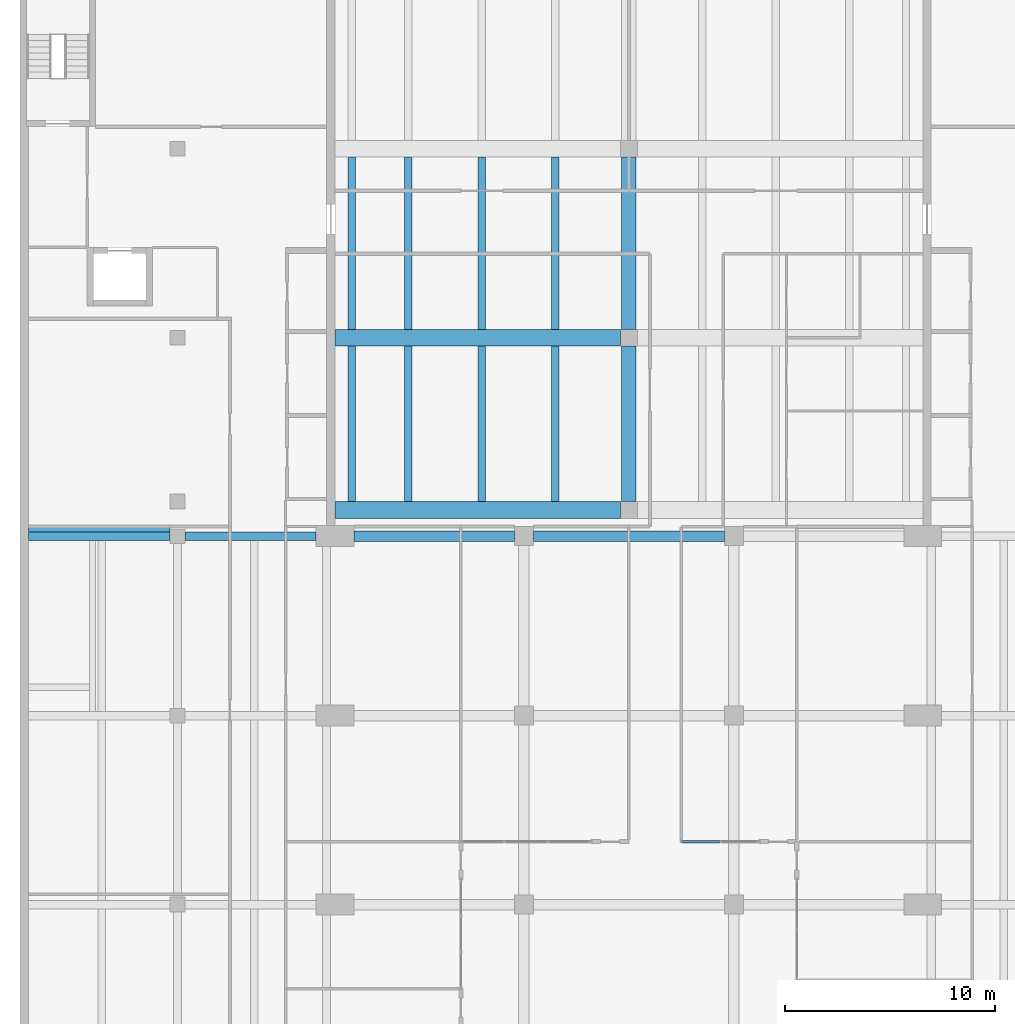
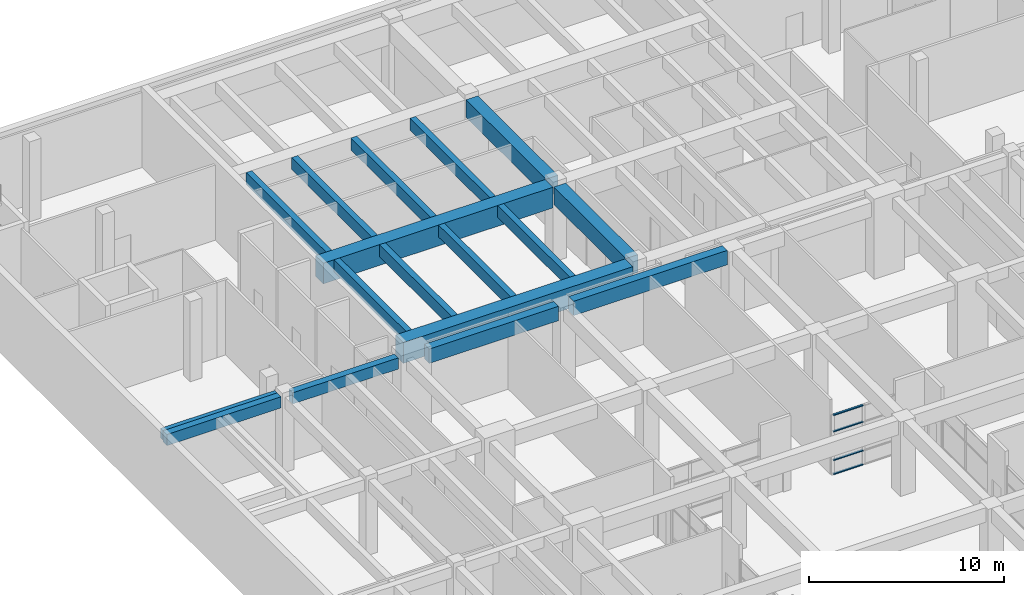
# One storey, part 12 of 29: 17 beams, 4 members, 1 element without a shape of its own.
"""IFC4 building model written with IfcOpenShell, lengths in metres."""

from ifc_helpers import new_model, si_unit, direction, frame, origin, origin_2d, place, context, subcontext, project, spatial, rectangle, extrude, material, material_profile, profile_set, type_object, element, aggregate, save


model = new_model("IFC4")

# Units and contexts
model_context = context("Model", 3, precision=1e-05, world=origin(), true_north=direction((0.0, 1.0)))
body_context = subcontext(model_context, "Body", "Model", "MODEL_VIEW")
ifc_project = project(units=[si_unit("LENGTHUNIT", "METRE"), si_unit("AREAUNIT", "SQUARE_METRE"), si_unit("VOLUMEUNIT", "CUBIC_METRE"), si_unit("PLANEANGLEUNIT", "RADIAN"), si_unit("MASSUNIT", "GRAM", prefix="KILO")], contexts=[model_context])

# Site, building, storey
site_placement = place(None, origin())
site = spatial("IfcSite", under=ifc_project, at=site_placement, CompositionType="ELEMENT")
building_placement = place(site_placement, origin())
building = spatial("IfcBuilding", under=site, at=building_placement, Name="Elmora Arch Market Hall", CompositionType="ELEMENT")
storey_placement = place(building_placement, frame((0.0, 0.0, -5.0)))
storey = spatial("IfcBuildingStorey", under=building, at=storey_placement, Name="LG", CompositionType="ELEMENT", Elevation=-5.0)

# Beams
ifc_material_1 = material(Name="Concrete C32/40", Category="concrete")
ifc_material_profile_1 = material_profile(ifc_material_1, rectangle(XDim=0.5, YDim=0.89990234375, at=origin_2d()), Name="Basement girder 500x900")
ifc_profile_set_1 = profile_set([ifc_material_profile_1], Name="Concrete C32/40")
beam_type_1 = type_object("IfcBeamType", Name="Basement girder 500x900", PredefinedType="BEAM", material=ifc_profile_set_1)
beam_1_placement = place(storey_placement, frame((15.89990234375, 98.550048828125, 4.199951171875), z_axis=(1.0, 0.0, 0.0), x_axis=(0.0, 1.0, 0.0)))
element("IfcBeam", 1, at=beam_1_placement, inside=storey, type_object=beam_type_1, Name="Basement girder HR9 LG.1", PredefinedType="BEAM", context=body_context, shape_type="SweptSolid", body=[
    extrude(rectangle(XDim=0.5, YDim=0.89990234375, at=origin_2d()), origin(), (0.0, 0.0, 1.0), 7.650146484375),
])
beam_2_placement = place(storey_placement, frame((24.449951171875, 98.550048828125, 4.199951171875), z_axis=(1.0, 0.0, 0.0), x_axis=(0.0, 1.0, 0.0)))
element("IfcBeam", 2, at=beam_2_placement, inside=storey, type_object=beam_type_1, Name="Basement girder HR9 LG.2", PredefinedType="BEAM", context=body_context, shape_type="SweptSolid", body=[
    extrude(rectangle(XDim=0.5, YDim=0.89990234375, at=origin_2d()), origin(), (0.0, 0.0, 1.0), 9.10009765625),
])
ifc_material_2 = material(Name="Concrete C32/40", Category="concrete")
ifc_material_profile_2 = material_profile(ifc_material_2, rectangle(XDim=0.800048828125, YDim=1.300048828125, at=origin_2d()), Name="Bridge girder 800x1300")
ifc_profile_set_2 = profile_set([ifc_material_profile_2], Name="Concrete C32/40")
beam_type_2 = type_object("IfcBeamType", Name="Bridge girder 800x1300", PredefinedType="BEAM", material=ifc_profile_set_2)
for number, where, z_axis, x_axis, name in (
    (3, (15.0, 99.800048828125, 4.050048828125), (1.0, 0.0, 0.0), (0.0, 1.0, 0.0), "Bridge girder NR1 LG.1"),
    (4, (15.0, 108.0, 4.050048828125), (1.0, 0.0, 0.0), (0.0, 1.0, 0.0), "Bridge girder NR2 LG.1"),
):
    element("IfcBeam", number, at=place(storey_placement, frame(where, z_axis=z_axis, x_axis=x_axis)), inside=storey, type_object=beam_type_2, Name=name, PredefinedType="BEAM", context=body_context, shape_type="SweptSolid", body=[
        extrude(rectangle(XDim=0.800048828125, YDim=1.300048828125, at=origin_2d()), origin(), (0.0, 0.0, 1.0), 13.60009765625),
    ])
ifc_material_3 = material(Name="Concrete C32/40", Category="concrete")
ifc_material_profile_3 = material_profile(ifc_material_3, rectangle(XDim=0.35009765625, YDim=0.75, at=origin_2d()), Name="Bridge joist 350x750")
ifc_profile_set_3 = profile_set([ifc_material_profile_3], Name="Concrete C32/40")
beam_type_3 = type_object("IfcBeamType", Name="Bridge joist 350x750", PredefinedType="JOIST", material=ifc_profile_set_3)
beam_3_placement = place(storey_placement, frame((15.800048828125, 100.199951171875, 4.324951171875), z_axis=(0.0, 1.0, 0.0), x_axis=(-1.0, 0.0, 0.0)))
element("IfcBeam", 5, at=beam_3_placement, inside=storey, type_object=beam_type_3, Name="Bridge joist NJ1 LG.1", PredefinedType="JOIST", context=body_context, shape_type="SweptSolid", body=[
    extrude(rectangle(XDim=0.35009765625, YDim=0.75, at=origin_2d()), origin(), (0.0, 0.0, 1.0), 7.400146484375),
])
beam_4_placement = place(storey_placement, frame((15.800048828125, 108.39990234375, 4.324951171875), z_axis=(0.0, 1.0, 0.0), x_axis=(-1.0, 0.0, 0.0)))
element("IfcBeam", 6, at=beam_4_placement, inside=storey, type_object=beam_type_3, Name="Bridge joist NJ1 LG.2", PredefinedType="JOIST", context=body_context, shape_type="SweptSolid", body=[
    extrude(rectangle(XDim=0.35009765625, YDim=0.75, at=origin_2d()), origin(), (0.0, 0.0, 1.0), 8.2001953125),
])
beam_5_placement = place(storey_placement, frame((18.5, 100.199951171875, 4.324951171875), z_axis=(0.0, 1.0, 0.0), x_axis=(-1.0, 0.0, 0.0)))
element("IfcBeam", 7, at=beam_5_placement, inside=storey, type_object=beam_type_3, Name="Bridge joist NJ2 LG.1", PredefinedType="JOIST", context=body_context, shape_type="SweptSolid", body=[
    extrude(rectangle(XDim=0.35009765625, YDim=0.75, at=origin_2d()), origin(), (0.0, 0.0, 1.0), 7.400146484375),
])
beam_6_placement = place(storey_placement, frame((18.5, 108.39990234375, 4.324951171875), z_axis=(0.0, 1.0, 0.0), x_axis=(-1.0, 0.0, 0.0)))
element("IfcBeam", 8, at=beam_6_placement, inside=storey, type_object=beam_type_3, Name="Bridge joist NJ2 LG.2", PredefinedType="JOIST", context=body_context, shape_type="SweptSolid", body=[
    extrude(rectangle(XDim=0.35009765625, YDim=0.75, at=origin_2d()), origin(), (0.0, 0.0, 1.0), 8.2001953125),
])
beam_7_placement = place(storey_placement, frame((22.0, 100.199951171875, 4.324951171875), z_axis=(0.0, 1.0, 0.0), x_axis=(-1.0, 0.0, 0.0)))
element("IfcBeam", 9, at=beam_7_placement, inside=storey, type_object=beam_type_3, Name="Bridge joist NJ3 LG.1", PredefinedType="JOIST", context=body_context, shape_type="SweptSolid", body=[
    extrude(rectangle(XDim=0.35009765625, YDim=0.75, at=origin_2d()), origin(), (0.0, 0.0, 1.0), 7.400146484375),
])
beam_8_placement = place(storey_placement, frame((22.0, 108.39990234375, 4.324951171875), z_axis=(0.0, 1.0, 0.0), x_axis=(-1.0, 0.0, 0.0)))
element("IfcBeam", 10, at=beam_8_placement, inside=storey, type_object=beam_type_3, Name="Bridge joist NJ3 LG.2", PredefinedType="JOIST", context=body_context, shape_type="SweptSolid", body=[
    extrude(rectangle(XDim=0.35009765625, YDim=0.75, at=origin_2d()), origin(), (0.0, 0.0, 1.0), 8.2001953125),
])
beam_9_placement = place(storey_placement, frame((25.5, 100.199951171875, 4.324951171875), z_axis=(0.0, 1.0, 0.0), x_axis=(-1.0, 0.0, 0.0)))
element("IfcBeam", 11, at=beam_9_placement, inside=storey, type_object=beam_type_3, Name="Bridge joist NJ4 LG.1", PredefinedType="JOIST", context=body_context, shape_type="SweptSolid", body=[
    extrude(rectangle(XDim=0.35009765625, YDim=0.75, at=origin_2d()), origin(), (0.0, 0.0, 1.0), 7.400146484375),
])
beam_10_placement = place(storey_placement, frame((25.5, 108.39990234375, 4.324951171875), z_axis=(0.0, 1.0, 0.0), x_axis=(-1.0, 0.0, 0.0)))
element("IfcBeam", 12, at=beam_10_placement, inside=storey, type_object=beam_type_3, Name="Bridge joist NJ4 LG.2", PredefinedType="JOIST", context=body_context, shape_type="SweptSolid", body=[
    extrude(rectangle(XDim=0.35009765625, YDim=0.75, at=origin_2d()), origin(), (0.0, 0.0, 1.0), 8.2001953125),
])
ifc_material_4 = material(Name="Concrete C32/40", Category="concrete")
ifc_material_profile_4 = material_profile(ifc_material_4, rectangle(XDim=0.699951171875, YDim=1.10009765625, at=origin_2d()), Name="Spine girder 700x1100")
ifc_profile_set_4 = profile_set([ifc_material_profile_4], Name="Concrete C32/40")
beam_type_4 = type_object("IfcBeamType", Name="Spine girder 700x1100", PredefinedType="BEAM", material=ifc_profile_set_4)
beam_11_placement = place(storey_placement, frame((29.0, 100.199951171875, 4.14990234375), z_axis=(0.0, 1.0, 0.0), x_axis=(-1.0, 0.0, 0.0)))
element("IfcBeam", 13, at=beam_11_placement, inside=storey, type_object=beam_type_4, Name="Spine girder NSP LG.1", PredefinedType="BEAM", context=body_context, shape_type="SweptSolid", body=[
    extrude(rectangle(XDim=0.699951171875, YDim=1.10009765625, at=origin_2d()), origin(), (0.0, 0.0, 1.0), 7.400146484375),
])
beam_12_placement = place(storey_placement, frame((29.0, 108.39990234375, 4.14990234375), z_axis=(0.0, 1.0, 0.0), x_axis=(-1.0, 0.0, 0.0)))
element("IfcBeam", 14, at=beam_12_placement, inside=storey, type_object=beam_type_4, Name="Spine girder NSP LG.2", PredefinedType="BEAM", context=body_context, shape_type="SweptSolid", body=[
    extrude(rectangle(XDim=0.699951171875, YDim=1.10009765625, at=origin_2d()), origin(), (0.0, 0.0, 1.0), 8.2001953125),
])

# Curtain wall, members
ifc_material_5 = material(Name="Aluminium", Category="aluminium")
curtain_wall_type = type_object("IfcCurtainWallType", Name="Lower ground shopfront curtain wall", PredefinedType="NOTDEFINED", material=ifc_material_5)
curtain_wall_placement = place(storey_placement, origin())
curtain_wall = element("IfcCurtainWall", 15, at=curtain_wall_placement, inside=storey, type_object=curtain_wall_type, Name="Lower ground shopfront N2", PredefinedType="NOTDEFINED")
ifc_material_6 = material(Name="Aluminium", Category="aluminium")
ifc_material_profile_5 = material_profile(ifc_material_6, rectangle(XDim=0.1201171875, YDim=0.06005859375, at=origin_2d()), Name="AL 120x60")
ifc_profile_set_5 = profile_set([ifc_material_profile_5], Name="Aluminium")
member_type = type_object("IfcMemberType", Name="Transom 120x60", PredefinedType="USERDEFINED", material=ifc_profile_set_5)
member_1_placement = place(storey_placement, frame((31.56005859375, 84.0, 0.030029296875), z_axis=(1.0, 0.0, 0.0), x_axis=(0.0, 1.0, 0.0)))
member_1 = element("IfcMember", 16, at=member_1_placement, type_object=member_type, Name="CW6 transom 1.1", ObjectType="TRANSOM", PredefinedType="USERDEFINED", context=body_context, shape_type="SweptSolid", body=[
    extrude(rectangle(XDim=0.1201171875, YDim=0.06005859375, at=origin_2d()), origin(), (0.0, 0.0, 1.0), 1.760009765625),
])
member_2_placement = place(storey_placement, frame((31.56005859375, 84.0, 0.89990234375), z_axis=(1.0, 0.0, 0.0), x_axis=(0.0, 1.0, 0.0)))
member_2 = element("IfcMember", 17, at=member_2_placement, type_object=member_type, Name="CW6 transom 1.2", ObjectType="TRANSOM", PredefinedType="USERDEFINED", context=body_context, shape_type="SweptSolid", body=[
    extrude(rectangle(XDim=0.1201171875, YDim=0.06005859375, at=origin_2d()), origin(), (0.0, 0.0, 1.0), 1.760009765625),
])
member_3_placement = place(storey_placement, frame((31.56005859375, 84.0, 2.699951171875), z_axis=(1.0, 0.0, 0.0), x_axis=(0.0, 1.0, 0.0)))
member_3 = element("IfcMember", 18, at=member_3_placement, type_object=member_type, Name="CW6 transom 1.3", ObjectType="TRANSOM", PredefinedType="USERDEFINED", context=body_context, shape_type="SweptSolid", body=[
    extrude(rectangle(XDim=0.1201171875, YDim=0.06005859375, at=origin_2d()), origin(), (0.0, 0.0, 1.0), 1.760009765625),
])
member_4_placement = place(storey_placement, frame((31.56005859375, 84.0, 3.719970703125), z_axis=(1.0, 0.0, 0.0), x_axis=(0.0, 1.0, 0.0)))
member_4 = element("IfcMember", 19, at=member_4_placement, type_object=member_type, Name="CW6 transom 1.4", ObjectType="TRANSOM", PredefinedType="USERDEFINED", context=body_context, shape_type="SweptSolid", body=[
    extrude(rectangle(XDim=0.1201171875, YDim=0.06005859375, at=origin_2d()), origin(), (0.0, 0.0, 1.0), 1.760009765625),
])
aggregate(curtain_wall, [member_1, member_2, member_3, member_4])

# Beams
ifc_material_7 = material(Name="Concrete C32/40", Category="concrete")
ifc_material_profile_6 = material_profile(ifc_material_7, rectangle(XDim=0.25, YDim=0.60009765625, at=origin_2d()), Name="Wall carrier beam 250x600")
ifc_profile_set_6 = profile_set([ifc_material_profile_6], Name="Concrete C32/40")
beam_type_5 = type_object("IfcBeamType", Name="Wall carrier beam 250x600", PredefinedType="BEAM", material=ifc_profile_set_6)
beam_13_placement = place(storey_placement, frame((0.39990234375, 98.875, 4.39990234375), z_axis=(1.0, 0.0, 0.0), x_axis=(0.0, 1.0, 0.0)))
element("IfcBeam", 20, at=beam_13_placement, inside=storey, type_object=beam_type_5, Name="Wall carrier beam WC-ST-WN-N-L00 LG.1", PredefinedType="BEAM", context=body_context, shape_type="SweptSolid", body=[
    extrude(rectangle(XDim=0.25, YDim=0.60009765625, at=origin_2d()), origin(), (0.0, 0.0, 1.0), 6.75),
])
ifc_material_8 = material(Name="Concrete C32/40", Category="concrete")
ifc_material_profile_7 = material_profile(ifc_material_8, rectangle(XDim=0.39990234375, YDim=0.699951171875, at=origin_2d()), Name="Wing beam 400x700")
ifc_profile_set_7 = profile_set([ifc_material_profile_7], Name="Concrete C32/40")
beam_type_6 = type_object("IfcBeamType", Name="Wing beam 400x700", PredefinedType="BEAM", material=ifc_profile_set_7)
beam_14_placement = place(storey_placement, frame((0.39990234375, 98.550048828125, 4.35009765625), z_axis=(1.0, 0.0, 0.0), x_axis=(0.0, 1.0, 0.0)))
element("IfcBeam", 21, at=beam_14_placement, inside=storey, type_object=beam_type_6, Name="Wing beam WR9 LG.1", PredefinedType="BEAM", context=body_context, shape_type="SweptSolid", body=[
    extrude(rectangle(XDim=0.39990234375, YDim=0.699951171875, at=origin_2d()), origin(), (0.0, 0.0, 1.0), 6.75),
])
beam_15_placement = place(storey_placement, frame((7.85009765625, 98.550048828125, 4.35009765625), z_axis=(1.0, 0.0, 0.0), x_axis=(0.0, 1.0, 0.0)))
element("IfcBeam", 22, at=beam_15_placement, inside=storey, type_object=beam_type_6, Name="Wing beam WR9 LG.2", PredefinedType="BEAM", context=body_context, shape_type="SweptSolid", body=[
    extrude(rectangle(XDim=0.39990234375, YDim=0.699951171875, at=origin_2d()), origin(), (0.0, 0.0, 1.0), 6.25),
])

save(model, "model.ifc")
